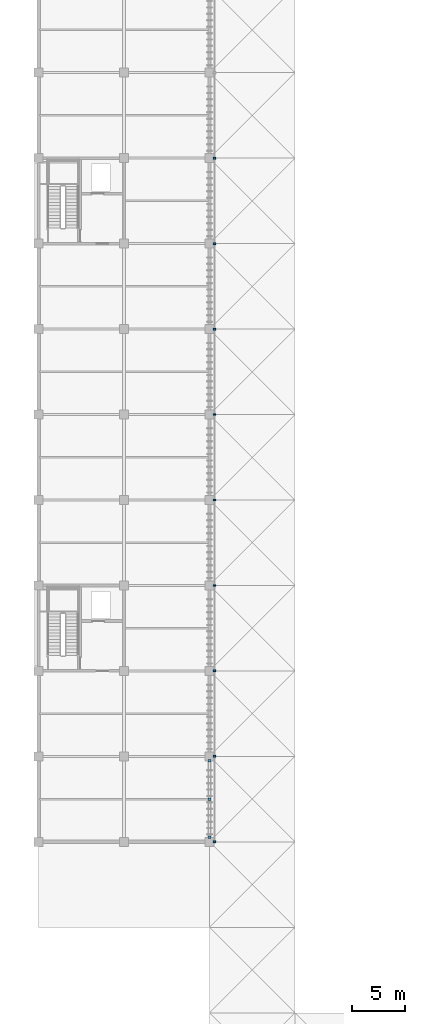
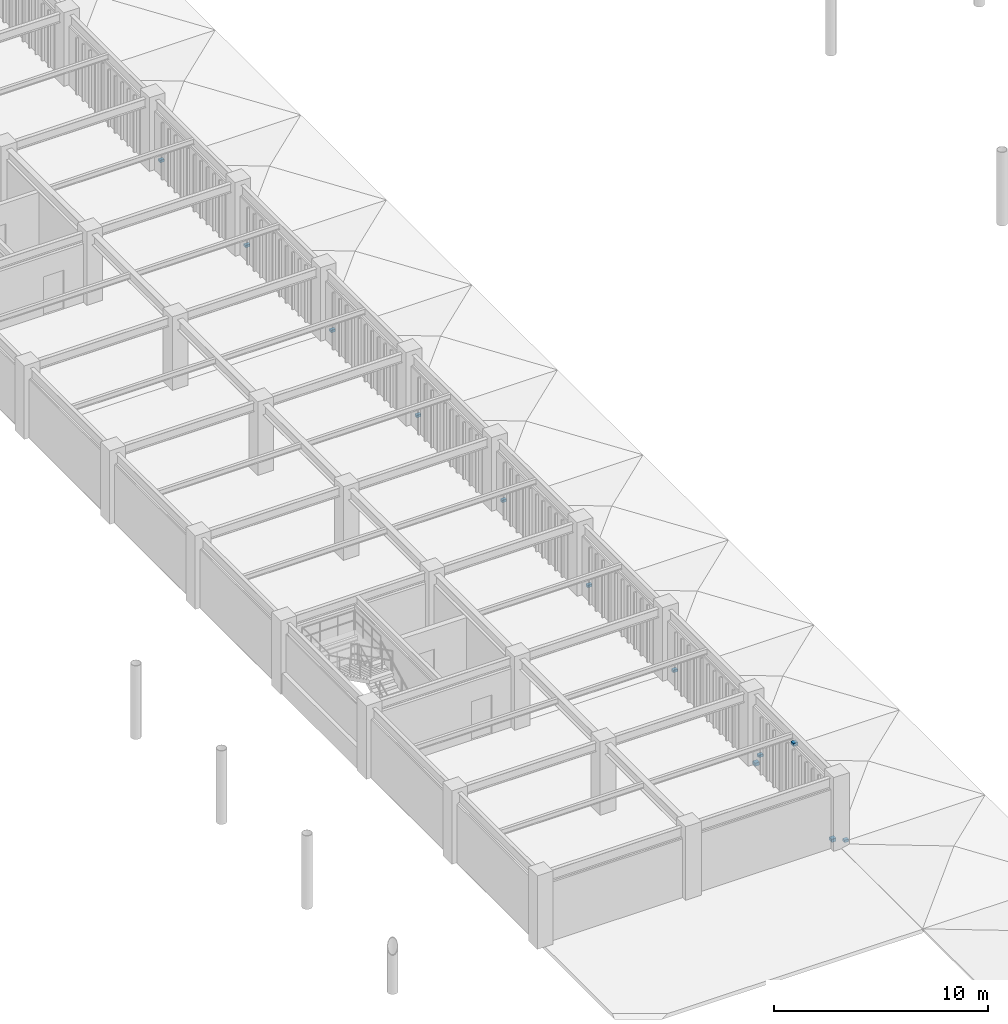
# One storey, part 68 of 78: 12 discrete accessories.
"""IFC4 building model written with IfcOpenShell, lengths in metres."""

from ifc_helpers import new_model, si_unit, direction, frame, origin, origin_2d, place, context, subcontext, project, spatial, rectangle, extrude, material, layer, layer_set, type_object, element, save


model = new_model("IFC4")

# Units and contexts
model_context = context("Model", 3, precision=1e-05, world=origin(), true_north=direction((0.0, 1.0)))
body_context = subcontext(model_context, "Body", "Model", "MODEL_VIEW")
ifc_project = project(units=[si_unit("LENGTHUNIT", "METRE"), si_unit("AREAUNIT", "SQUARE_METRE"), si_unit("VOLUMEUNIT", "CUBIC_METRE"), si_unit("PLANEANGLEUNIT", "RADIAN"), si_unit("MASSUNIT", "GRAM", prefix="KILO")], contexts=[model_context])

# Site, building, storey
site_placement = place(None, origin())
site = spatial("IfcSite", under=ifc_project, at=site_placement, CompositionType="ELEMENT")
building_placement = place(site_placement, origin())
building = spatial("IfcBuilding", under=site, at=building_placement, Name="Haebicheon Civic Stadium", CompositionType="ELEMENT")
storey_placement = place(building_placement, frame((0.0, 0.0, 18.60009765625)))
storey = spatial("IfcBuildingStorey", under=building, at=storey_placement, Name="L05", CompositionType="ELEMENT", Elevation=18.60009765625)

# Discrete accessories
ifc_material_1 = material(Name="White painted steel SM490", Category="steel")
ifc_layer_1 = layer(ifc_material_1, 0.179931640625, Name="White painted steel SM490")
ifc_layer_set_1 = layer_set([ifc_layer_1], Name="White painted steel SM490")
discrete_accessory_type_1 = type_object("IfcDiscreteAccessoryType", Name="BRK-END-PLT", PredefinedType="BRACKET", material=ifc_layer_set_1)
for number, where, z_axis, x_axis, name in (
    (1, (160.0, 48.419921875, -0.05029296875), (0.0, 0.0, 1.0), (1.0, 0.0, 0.0), "Brace L05-19-06 bolted end connection plate"),
    (2, (160.0, 55.580078125, -0.05029296875), (0.0, 0.0, 1.0), (1.0, 0.0, 0.0), "Brace L05-19-06 bolted end connection plate"),
    (3, (160.0, 52.0, 3.25), (0.0, 0.0, 1.0), (1.0, 0.0, 0.0), "Brace L05-19-06 bolted end connection plate"),
):
    element("IfcDiscreteAccessory", number, at=place(storey_placement, frame(where, z_axis=z_axis, x_axis=x_axis)), inside=storey, type_object=discrete_accessory_type_1, material=ifc_layer_set_1, Name=name, PredefinedType="BRACKET", context=body_context, shape_type="SweptSolid", body=[
        extrude(rectangle(XDim=0.239990234375, YDim=0.239990234375, at=origin_2d()), origin(), (0.0, 0.0, 1.0), 0.179931640625),
    ])
ifc_material_2 = material(Name="Stainless steel 316", Category="steel")
ifc_layer_2 = layer(ifc_material_2, 0.139892578125, Name="Stainless steel 316")
ifc_layer_set_2 = layer_set([ifc_layer_2], Name="Stainless steel 316")
discrete_accessory_type_2 = type_object("IfcDiscreteAccessoryType", Name="BRK-LVR-CLEAT", PredefinedType="BRACKET", material=ifc_layer_set_2)
for number, where, z_axis, x_axis, name in (
    (4, (160.465087890625, 48.0, 0.009765625), (0.0, 0.0, 1.0), (1.0, 0.0, 0.0), "SCR-EAST L05 stainless bracket cleat 1A"),
    (5, (160.465087890625, 56.0, 0.009765625), (0.0, 0.0, 1.0), (1.0, 0.0, 0.0), "SCR-EAST L05 stainless bracket cleat 1B"),
    (6, (160.465087890625, 64.0, 0.009765625), (0.0, 0.0, 1.0), (1.0, 0.0, 0.0), "SCR-EAST L05 stainless bracket cleat 2B"),
    (7, (160.465087890625, 72.0, 0.009765625), (0.0, 0.0, 1.0), (1.0, 0.0, 0.0), "SCR-EAST L05 stainless bracket cleat 3B"),
    (8, (160.465087890625, 80.0, 0.009765625), (0.0, 0.0, 1.0), (1.0, 0.0, 0.0), "SCR-EAST L05 stainless bracket cleat 4B"),
    (9, (160.465087890625, 88.0, 0.009765625), (0.0, 0.0, 1.0), (1.0, 0.0, 0.0), "SCR-EAST L05 stainless bracket cleat 5B"),
    (10, (160.465087890625, 96.0, 0.009765625), (0.0, 0.0, 1.0), (1.0, 0.0, 0.0), "SCR-EAST L05 stainless bracket cleat 6B"),
    (11, (160.465087890625, 104.0, 0.009765625), (0.0, 0.0, 1.0), (1.0, 0.0, 0.0), "SCR-EAST L05 stainless bracket cleat 7B"),
    (12, (160.465087890625, 112.0, 0.009765625), (0.0, 0.0, 1.0), (1.0, 0.0, 0.0), "SCR-EAST L05 stainless bracket cleat 8B"),
):
    element("IfcDiscreteAccessory", number, at=place(storey_placement, frame(where, z_axis=z_axis, x_axis=x_axis)), inside=storey, type_object=discrete_accessory_type_2, material=ifc_layer_set_2, Name=name, PredefinedType="BRACKET", context=body_context, shape_type="SweptSolid", body=[
        extrude(rectangle(XDim=0.239990234375, YDim=0.179931640625, at=origin_2d()), origin(), (0.0, 0.0, 1.0), 0.139892578125),
    ])

save(model, "model.ifc")
